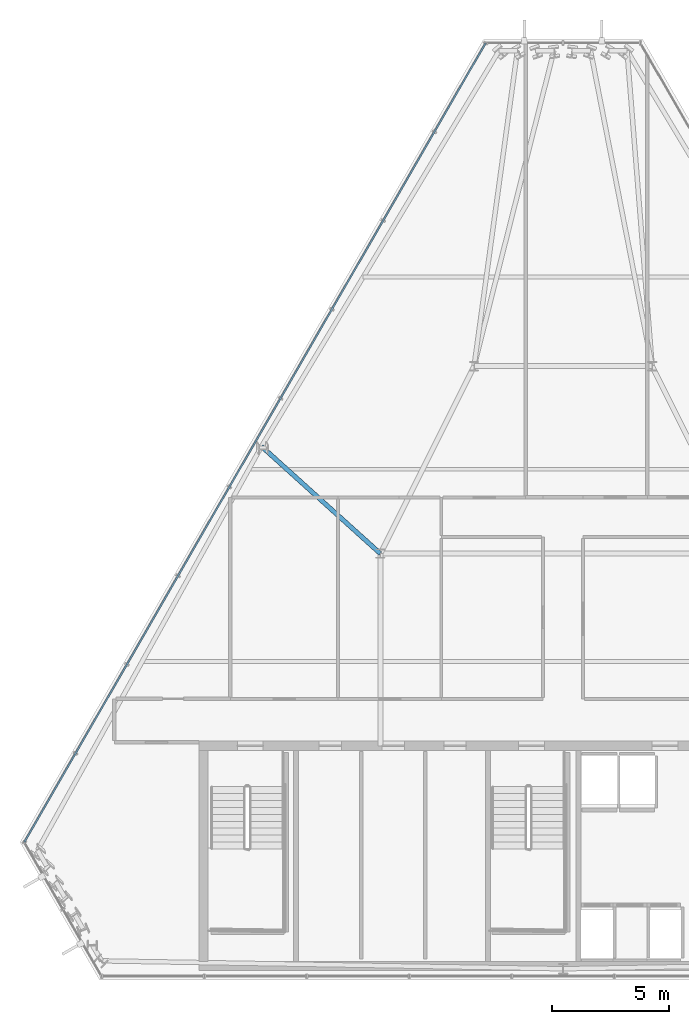
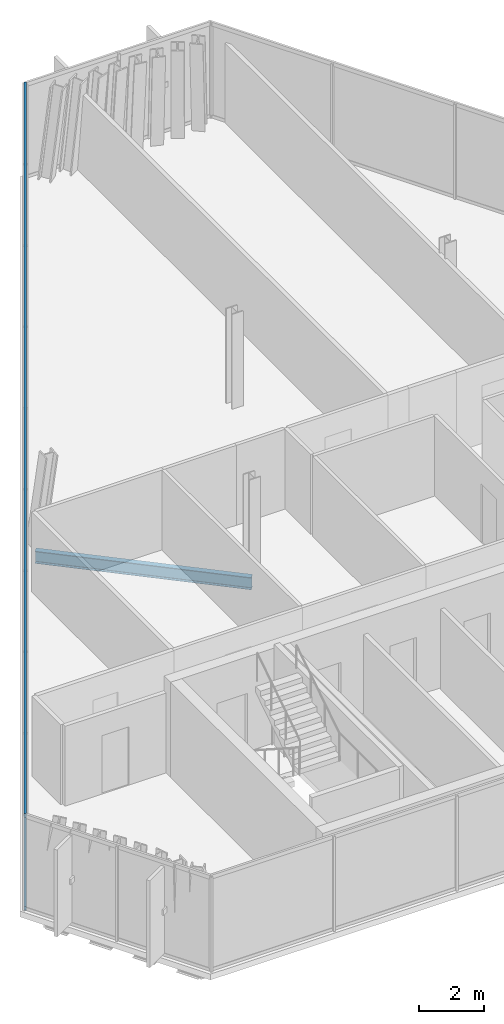
# One storey, part 11 of 29: 2 members, 1 beam, 1 element without a shape of its own.
"""IFC4 building model written with IfcOpenShell, lengths in metres."""

from ifc_helpers import new_model, si_unit, direction, frame, origin, origin_2d, place, context, subcontext, project, spatial, hollow_rectangle, i_section, extrude, material, layer, layer_set, material_profile, profile_set, type_object, element, aggregate, save


model = new_model("IFC4")

# Units and contexts
model_context = context("Model", 3, precision=1e-05, world=origin(), true_north=direction((0.0, 1.0)))
body_context = subcontext(model_context, "Body", "Model", "MODEL_VIEW")
ifc_project = project(units=[si_unit("LENGTHUNIT", "METRE"), si_unit("AREAUNIT", "SQUARE_METRE"), si_unit("VOLUMEUNIT", "CUBIC_METRE"), si_unit("PLANEANGLEUNIT", "RADIAN"), si_unit("MASSUNIT", "GRAM", prefix="KILO")], contexts=[model_context])

# Site, building, storey
site_placement = place(None, origin())
site = spatial("IfcSite", under=ifc_project, at=site_placement, CompositionType="ELEMENT")
building_placement = place(site_placement, origin())
building = spatial("IfcBuilding", under=site, at=building_placement, Name="Ndaravel Arena Tower", CompositionType="ELEMENT")
storey_placement = place(building_placement, frame((0.0, 0.0, 248.39990234375)))
storey = spatial("IfcBuildingStorey", under=building, at=storey_placement, Name="L60", CompositionType="ELEMENT", Elevation=248.39990234375)

# Beam
ifc_material_1 = material(Name="Steel S355", Category="steel")
ifc_material_profile_1 = material_profile(ifc_material_1, i_section(OverallWidth=0.19140625, OverallDepth=0.4599609375, WebThickness=0.010009765625, FlangeThickness=0.01611328125, FilletRadius=0.01025390625, at=origin_2d()), Name="UB 457x191x82")
ifc_profile_set_1 = profile_set([ifc_material_profile_1], Name="Steel S355")
beam_type = type_object("IfcBeamType", Name="BM-GIRD-UB457", PredefinedType="BEAM", material=ifc_profile_set_1)
beam_placement = place(storey_placement, frame((29.12744140625, 27.77587890625, -0.449951171875), z_axis=(0.742517096227, -0.669827113374, 0.0), x_axis=(0.669827113374, 0.742517096227, 0.0)))
element("IfcBeam", 1, at=beam_placement, inside=storey, type_object=beam_type, Name="L60 Radial Floor Girder FG-19", PredefinedType="BEAM", context=body_context, shape_type="SweptSolid", body=[
    extrude(i_section(OverallWidth=0.19140625, OverallDepth=0.4599609375, WebThickness=0.010009765625, FlangeThickness=0.01611328125, FilletRadius=0.01025390625, at=origin_2d()), origin(), (0.0, 0.0, 1.0), 6.83154296875),
])

# Curtain wall, members
ifc_material_2 = material(Name="Aluminium", Category="aluminium")
ifc_layer = layer(ifc_material_2, 0.179931640625)
ifc_layer_set = layer_set([ifc_layer], Name="Aluminium")
curtain_wall_type = type_object("IfcCurtainWallType", Name="CW-SYS-03", PredefinedType="NOTDEFINED", material=ifc_layer_set)
curtain_wall_placement = place(storey_placement, origin())
curtain_wall = element("IfcCurtainWall", 2, at=curtain_wall_placement, inside=storey, type_object=curtain_wall_type, Name="L60 Faceted Crystal Curtain Wall CW-L60-E05", PredefinedType="NOTDEFINED")
ifc_material_3 = material(Name="Aluminium", Category="aluminium")
ifc_material_profile_2 = material_profile(ifc_material_3, hollow_rectangle(XDim=0.074951171875, YDim=0.14990234375, WallThickness=0.00390625, at=origin_2d()), Name="CW TRANSOM 75x150x4")
ifc_profile_set_2 = profile_set([ifc_material_profile_2], Name="Aluminium")
member_type = type_object("IfcMemberType", Name="MEM-CW-TRN150", PredefinedType="USERDEFINED", material=ifc_profile_set_2)
member_1_placement = place(storey_placement, frame((38.6962890625, 44.989501953125, 0.0400390625), z_axis=(-0.499999339774, -0.866025784966, 0.0), x_axis=(0.866025784966, -0.499999339774, 0.0)))
member_1 = element("IfcMember", 3, at=member_1_placement, type_object=member_type, Name="CW-L60-E05 Transom 01", ObjectType="TRANSOM", PredefinedType="USERDEFINED", context=body_context, shape_type="SweptSolid", body=[
    extrude(hollow_rectangle(XDim=0.074951171875, YDim=0.14990234375, WallThickness=0.00390625, at=origin_2d()), origin(), (0.0, 0.0, 1.0), 39.3837890625),
])
member_2_placement = place(storey_placement, frame((38.6962890625, 44.989501953125, 3.5400390625), z_axis=(-0.499999339774, -0.866025784966, 0.0), x_axis=(0.866025784966, -0.499999339774, 0.0)))
member_2 = element("IfcMember", 4, at=member_2_placement, type_object=member_type, Name="CW-L60-E05 Transom 02", ObjectType="TRANSOM", PredefinedType="USERDEFINED", context=body_context, shape_type="SweptSolid", body=[
    extrude(hollow_rectangle(XDim=0.074951171875, YDim=0.14990234375, WallThickness=0.00390625, at=origin_2d()), origin(), (0.0, 0.0, 1.0), 39.3837890625),
])
aggregate(curtain_wall, [member_1, member_2])

save(model, "model.ifc")
